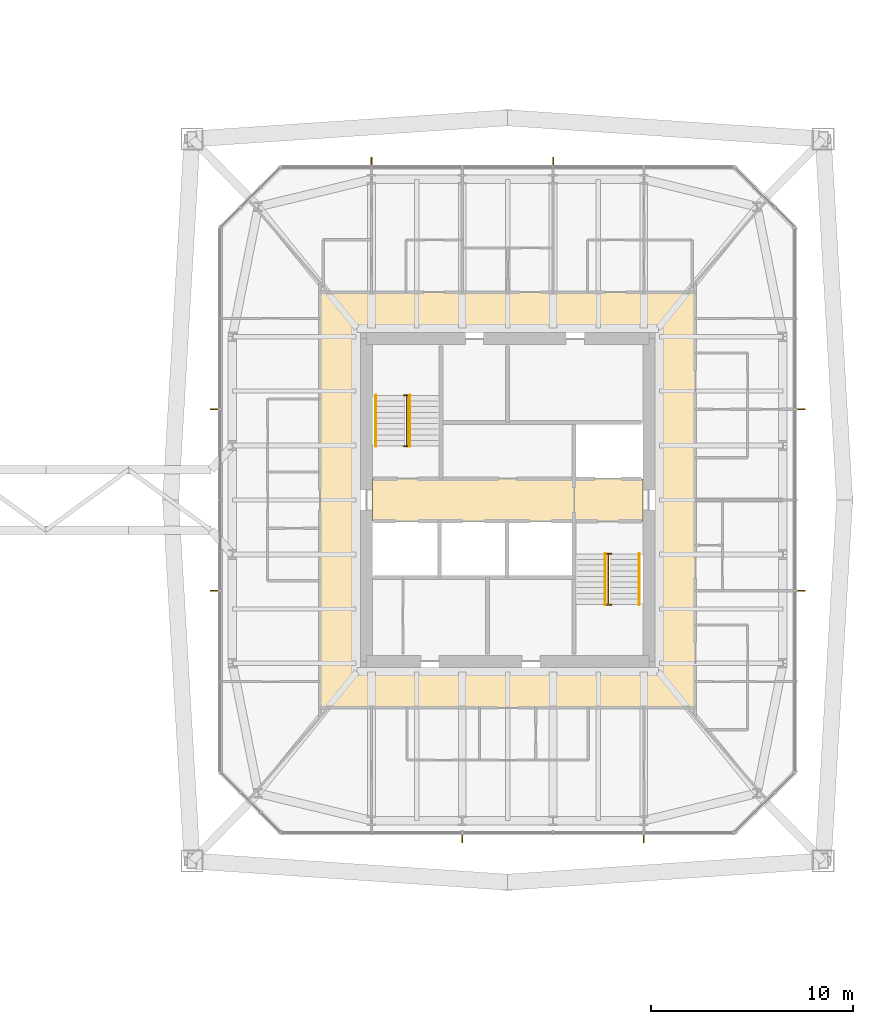
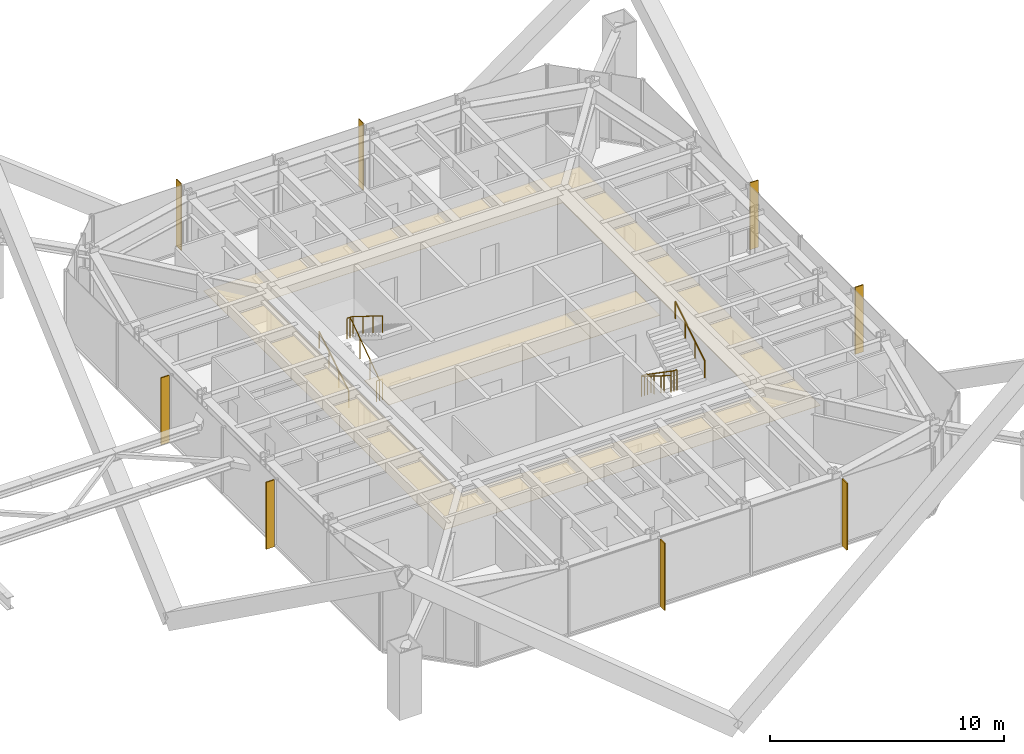
# One storey, part 27 of 27: 8 shading devices, 6 railings, 3 coverings.
"""IFC4 building model written with IfcOpenShell, lengths in metres."""

from ifc_helpers import new_model, si_unit, direction, frame, origin, origin_2d, place, context, subcontext, project, spatial, polyline, rectangle, circle, outline, extrude, material, layer, layer_set, constituent, constituent_set, type_object, element, save


model = new_model("IFC4")

# Units and contexts
model_context = context("Model", 3, precision=1e-05, world=origin(), true_north=direction((0.0, 1.0)))
body_context = subcontext(model_context, "Body", "Model", "MODEL_VIEW")
ifc_project = project(units=[si_unit("LENGTHUNIT", "METRE"), si_unit("AREAUNIT", "SQUARE_METRE"), si_unit("VOLUMEUNIT", "CUBIC_METRE"), si_unit("PLANEANGLEUNIT", "RADIAN"), si_unit("MASSUNIT", "GRAM", prefix="KILO")], contexts=[model_context])

# Site, building, storey
site_placement = place(None, origin())
site = spatial("IfcSite", under=ifc_project, at=site_placement, CompositionType="ELEMENT")
building_placement = place(site_placement, origin())
building = spatial("IfcBuilding", under=site, at=building_placement, Name="Iwan Alto Co-Living Towers", CompositionType="ELEMENT")
storey_placement = place(building_placement, frame((0.0, 0.0, 94.5)))
storey = spatial("IfcBuildingStorey", under=building, at=storey_placement, Name="L25", CompositionType="ELEMENT", Elevation=94.5)

# Coverings
ifc_material_1 = material(Name="Mineral fibre acoustic tiles on steel grid", Category="steel")
ifc_layer_1 = layer(ifc_material_1, 0.02001953125)
ifc_layer_set_1 = layer_set([ifc_layer_1], Name="ACOUSTIC TILE CEILING 20")
covering_type_1 = type_object("IfcCoveringType", Name="ACOUSTIC TILE CEILING 20", PredefinedType="CEILING", material=ifc_layer_set_1)
covering_1_placement = place(storey_placement, frame((0.0, 0.0, 2.60009765625)))
element("IfcCovering", 1, at=covering_1_placement, inside=storey, type_object=covering_type_1, Name="Ceiling Lift lobby L25", PredefinedType="CEILING", context=body_context, shape_type="SweptSolid", body=[
    extrude(outline(polyline([(56.300048828125, -1.050048828125), (56.300048828125, 1.050048828125), (66.300048828125, 1.050048828125), (66.300048828125, -1.050048828125), (56.300048828125, -1.050048828125)])), origin(), (0.0, 0.0, 1.0), 0.02001953125),
])
covering_2_placement = place(storey_placement, frame((0.0, 0.0, 2.60009765625)))
element("IfcCovering", 2, at=covering_2_placement, inside=storey, type_object=covering_type_1, Name="Ceiling Firefighting lobby L25", PredefinedType="CEILING", context=body_context, shape_type="SweptSolid", body=[
    extrude(outline(polyline([(66.300048828125, -1.050048828125), (66.300048828125, 1.050048828125), (69.699951171875, 1.050048828125), (69.699951171875, -1.050048828125), (66.300048828125, -1.050048828125)])), origin(), (0.0, 0.0, 1.0), 0.02001953125),
])

# Shading devices
ifc_material_2 = material(Name="Aluminium 6063-T6 bronze anodised", Category="aluminium")
ifc_layer_2 = layer(ifc_material_2, 0.050048828125)
ifc_layer_set_2 = layer_set([ifc_layer_2], Name="BRONZE FIN 50X400")
shading_device_type = type_object("IfcShadingDeviceType", Name="BRONZE FIN 50X400", PredefinedType="USERDEFINED", material=ifc_layer_set_2)
for number, where, z_axis, x_axis, name in (
    (3, (60.75, -16.800048828125, 0.0), (0.0, 0.0, 1.0), (1.0, 0.0, 0.0), "Bronze fin L25"),
    (4, (69.75, -16.800048828125, 0.0), (0.0, 0.0, 1.0), (1.0, 0.0, 0.0), "Bronze fin L25"),
    (5, (77.550048828125, -4.5, 0.0), (0.0, 0.0, 1.0), (0.0, 1.0, 0.0), "Bronze fin L25"),
    (6, (77.550048828125, 4.5, 0.0), (0.0, 0.0, 1.0), (0.0, 1.0, 0.0), "Bronze fin L25"),
    (7, (65.25, 16.800048828125, 0.0), (0.0, 0.0, 1.0), (-1.0, 0.0, 0.0), "Bronze fin L25"),
    (8, (56.25, 16.800048828125, 0.0), (0.0, 0.0, 1.0), (-1.0, 0.0, 0.0), "Bronze fin L25"),
    (9, (48.449951171875, 4.5, 0.0), (0.0, 0.0, 1.0), (0.0, -1.0, 0.0), "Bronze fin L25"),
    (10, (48.449951171875, -4.5, 0.0), (0.0, 0.0, 1.0), (0.0, -1.0, 0.0), "Bronze fin L25"),
):
    element("IfcShadingDevice", number, at=place(storey_placement, frame(where, z_axis=z_axis, x_axis=x_axis)), inside=storey, type_object=shading_device_type, Name=name, ObjectType="LOUVER", PredefinedType="USERDEFINED", context=body_context, shape_type="SweptSolid", body=[
        extrude(rectangle(XDim=0.050048828125, YDim=0.39990234375, at=origin_2d()), origin(), (0.0, 0.0, 1.0), 3.5),
    ])

# Railings
ifc_material_3 = material(Name="Steel ASTM A500 Gr C", Category="steel")
ifc_constituent_1 = constituent(ifc_material_3, Name="Rails and posts", Category="Framing")
ifc_material_4 = material(Name="Steel ASTM A36", Category="steel")
ifc_constituent_2 = constituent(ifc_material_4, Name="Bar infill", Category="Infill")
ifc_constituent_set = constituent_set(constituents=[ifc_constituent_1, ifc_constituent_2], Name="STAIR GUARD 1100")
railing_type_1 = type_object("IfcRailingType", Name="STAIR GUARD 1100", PredefinedType="GUARDRAIL", material=ifc_constituent_set)
railing_1_placement = place(storey_placement, frame((58.0, 2.669921875, 0.0)))
element("IfcRailing", 11, at=railing_1_placement, inside=storey, type_object=railing_type_1, Name="Stair T2-S1 well guard L25", PredefinedType="GUARDRAIL", context=body_context, shape_type="SweptSolid", body=[
    extrude(circle(Radius=0.02392578125, at=origin_2d()), frame((0.0, 0.0, 1.076171875), z_axis=(0.0, 0.821372036852, 0.570392826987), x_axis=(-1.0, 0.0, 0.0)), (0.0, 0.0, 1.0), 3.068115234375),
    extrude(circle(Radius=0.02392578125, at=origin_2d()), frame((-0.14990234375, 0.0, 1.076171875), z_axis=(1.0, 0.0, 0.0), x_axis=(0.0, 1.0, 0.0)), (0.0, 0.0, 1.0), 0.2998046875),
    extrude(circle(Radius=0.02392578125, at=origin_2d()), frame((-0.14990234375, 2.52001953125, 2.826171875), z_axis=(1.0, 0.0, 0.0), x_axis=(0.0, 1.0, 0.0)), (0.0, 0.0, 1.0), 0.2998046875),
    extrude(circle(Radius=0.02099609375, at=origin_2d()), origin(), (0.0, 0.0, 1.0), 1.052001953125),
    extrude(circle(Radius=0.02099609375, at=origin_2d()), frame((0.0, 0.840087890625, 0.583251953125)), (0.0, 0.0, 1.0), 1.052001953125),
    extrude(circle(Radius=0.02099609375, at=origin_2d()), frame((0.0, 1.679931640625, 1.166748046875)), (0.0, 0.0, 1.0), 1.052001953125),
    extrude(circle(Radius=0.02099609375, at=origin_2d()), frame((0.0, 2.52001953125, 1.75)), (0.0, 0.0, 1.0), 1.052001953125),
    extrude(circle(Radius=0.02099609375, at=origin_2d()), frame((-0.14990234375, 0.0, 0.0)), (0.0, 0.0, 1.0), 1.052001953125),
    extrude(circle(Radius=0.02099609375, at=origin_2d()), frame((0.14990234375, 0.0, 0.0)), (0.0, 0.0, 1.0), 1.052001953125),
    extrude(circle(Radius=0.02099609375, at=origin_2d()), frame((-0.14990234375, 2.52001953125, 1.75)), (0.0, 0.0, 1.0), 1.052001953125),
    extrude(circle(Radius=0.02099609375, at=origin_2d()), frame((0.14990234375, 2.52001953125, 1.75)), (0.0, 0.0, 1.0), 1.052001953125),
])
railing_2_placement = place(storey_placement, frame((68.0, -2.669921875, 0.0)))
element("IfcRailing", 12, at=railing_2_placement, inside=storey, type_object=railing_type_1, Name="Stair T2-S2 well guard L25", PredefinedType="GUARDRAIL", context=body_context, shape_type="SweptSolid", body=[
    extrude(circle(Radius=0.02392578125, at=origin_2d()), frame((0.0, 0.0, 1.076171875), z_axis=(0.0, -0.821372036852, 0.570392826987), x_axis=(1.0, 0.0, 0.0)), (0.0, 0.0, 1.0), 3.068115234375),
    extrude(circle(Radius=0.02392578125, at=origin_2d()), frame((-0.14990234375, 0.0, 1.076171875), z_axis=(1.0, 0.0, 0.0), x_axis=(0.0, 1.0, 0.0)), (0.0, 0.0, 1.0), 0.2998046875),
    extrude(circle(Radius=0.02392578125, at=origin_2d()), frame((-0.14990234375, -2.52001953125, 2.826171875), z_axis=(1.0, 0.0, 0.0), x_axis=(0.0, 1.0, 0.0)), (0.0, 0.0, 1.0), 0.2998046875),
    extrude(circle(Radius=0.02099609375, at=origin_2d()), origin(), (0.0, 0.0, 1.0), 1.052001953125),
    extrude(circle(Radius=0.02099609375, at=origin_2d()), frame((0.0, -0.840087890625, 0.583251953125)), (0.0, 0.0, 1.0), 1.052001953125),
    extrude(circle(Radius=0.02099609375, at=origin_2d()), frame((0.0, -1.679931640625, 1.166748046875)), (0.0, 0.0, 1.0), 1.052001953125),
    extrude(circle(Radius=0.02099609375, at=origin_2d()), frame((0.0, -2.52001953125, 1.75)), (0.0, 0.0, 1.0), 1.052001953125),
    extrude(circle(Radius=0.02099609375, at=origin_2d()), frame((-0.14990234375, 0.0, 0.0)), (0.0, 0.0, 1.0), 1.052001953125),
    extrude(circle(Radius=0.02099609375, at=origin_2d()), frame((0.14990234375, 0.0, 0.0)), (0.0, 0.0, 1.0), 1.052001953125),
    extrude(circle(Radius=0.02099609375, at=origin_2d()), frame((-0.14990234375, -2.52001953125, 1.75)), (0.0, 0.0, 1.0), 1.052001953125),
    extrude(circle(Radius=0.02099609375, at=origin_2d()), frame((0.14990234375, -2.52001953125, 1.75)), (0.0, 0.0, 1.0), 1.052001953125),
])
ifc_material_5 = material(Name="Steel ASTM A500 Gr C", Category="steel")
railing_type_2 = type_object("IfcRailingType", Name="STAIR HANDRAIL 900", PredefinedType="HANDRAIL", material=ifc_material_5)
railing_3_placement = place(storey_placement, frame((56.469970703125, 2.669921875, 0.175048828125)))
element("IfcRailing", 13, at=railing_3_placement, inside=storey, type_object=railing_type_2, Name="Stair T2-S1 handrail 1 L25", PredefinedType="HANDRAIL", context=body_context, shape_type="SweptSolid", body=[
    extrude(circle(Radius=0.02392578125, at=origin_2d()), frame((0.0, 0.0, 0.8759765625), z_axis=(0.0, 0.848007534815, 0.529984170421), x_axis=(-1.0, 0.0, 0.0)), (0.0, 0.0, 1.0), 2.9716796875),
    extrude(circle(Radius=0.02099609375, at=origin_2d()), origin(), (0.0, 0.0, 1.0), 0.851806640625),
    extrude(circle(Radius=0.02099609375, at=origin_2d()), frame((0.0, 0.840087890625, 0.52490234375)), (0.0, 0.0, 1.0), 0.851806640625),
    extrude(circle(Radius=0.02099609375, at=origin_2d()), frame((0.0, 1.679931640625, 1.050048828125)), (0.0, 0.0, 1.0), 0.851806640625),
    extrude(circle(Radius=0.02099609375, at=origin_2d()), frame((0.0, 2.52001953125, 1.574951171875)), (0.0, 0.0, 1.0), 0.851806640625),
])
for number, where, name in (
    (14, (58.14990234375, 5.18994140625, 1.925048828125), "Stair T2-S1 handrail 2 L25"),
    (15, (67.85009765625, -2.669921875, 0.175048828125), "Stair T2-S2 handrail 1 L25"),
):
    element("IfcRailing", number, at=place(storey_placement, frame(where)), inside=storey, type_object=railing_type_2, Name=name, PredefinedType="HANDRAIL", context=body_context, shape_type="SweptSolid", body=[
        extrude(circle(Radius=0.02392578125, at=origin_2d()), frame((0.0, 0.0, 0.8759765625), z_axis=(0.0, -0.848007534815, 0.529984170421), x_axis=(1.0, 0.0, 0.0)), (0.0, 0.0, 1.0), 2.9716796875),
        extrude(circle(Radius=0.02099609375, at=origin_2d()), origin(), (0.0, 0.0, 1.0), 0.851806640625),
        extrude(circle(Radius=0.02099609375, at=origin_2d()), frame((0.0, -0.840087890625, 0.52490234375)), (0.0, 0.0, 1.0), 0.851806640625),
        extrude(circle(Radius=0.02099609375, at=origin_2d()), frame((0.0, -1.679931640625, 1.050048828125)), (0.0, 0.0, 1.0), 0.851806640625),
        extrude(circle(Radius=0.02099609375, at=origin_2d()), frame((0.0, -2.52001953125, 1.574951171875)), (0.0, 0.0, 1.0), 0.851806640625),
    ])
railing_4_placement = place(storey_placement, frame((69.530029296875, -5.18994140625, 1.925048828125)))
element("IfcRailing", 16, at=railing_4_placement, inside=storey, type_object=railing_type_2, Name="Stair T2-S2 handrail 2 L25", PredefinedType="HANDRAIL", context=body_context, shape_type="SweptSolid", body=[
    extrude(circle(Radius=0.02392578125, at=origin_2d()), frame((0.0, 0.0, 0.8759765625), z_axis=(0.0, 0.848007534815, 0.529984170421), x_axis=(-1.0, 0.0, 0.0)), (0.0, 0.0, 1.0), 2.9716796875),
    extrude(circle(Radius=0.02099609375, at=origin_2d()), origin(), (0.0, 0.0, 1.0), 0.851806640625),
    extrude(circle(Radius=0.02099609375, at=origin_2d()), frame((0.0, 0.840087890625, 0.52490234375)), (0.0, 0.0, 1.0), 0.851806640625),
    extrude(circle(Radius=0.02099609375, at=origin_2d()), frame((0.0, 1.679931640625, 1.050048828125)), (0.0, 0.0, 1.0), 0.851806640625),
    extrude(circle(Radius=0.02099609375, at=origin_2d()), frame((0.0, 2.52001953125, 1.574951171875)), (0.0, 0.0, 1.0), 0.851806640625),
])

# Covering
ifc_material_6 = material(Name="Gypsum plasterboard on steel grid", Category="steel")
ifc_layer_3 = layer(ifc_material_6, 0.014892578125)
ifc_layer_set_3 = layer_set([ifc_layer_3], Name="SUSPENDED PLASTERBOARD CEILING 15")
covering_type_2 = type_object("IfcCoveringType", Name="SUSPENDED PLASTERBOARD CEILING 15", PredefinedType="CEILING", material=ifc_layer_set_3)
covering_3_placement = place(storey_placement, frame((0.0, 0.0, 2.60009765625)))
element("IfcCovering", 17, at=covering_3_placement, inside=storey, type_object=covering_type_2, Name="Ceiling Corridor L25", PredefinedType="CEILING", context=body_context, shape_type="SweptSolid", body=[
    extrude(outline(polyline([(53.699951171875, 10.300048828125), (72.300048828125, 10.300048828125), (72.300048828125, -10.300048828125), (53.699951171875, -10.300048828125), (53.699951171875, 10.300048828125)]), holes=[polyline([(55.699951171875, 8.300048828125), (55.699951171875, -8.300048828125), (70.300048828125, -8.300048828125), (70.300048828125, 8.300048828125), (55.699951171875, 8.300048828125)])]), origin(), (0.0, 0.0, 1.0), 0.014892578125),
])

save(model, "model.ifc")
